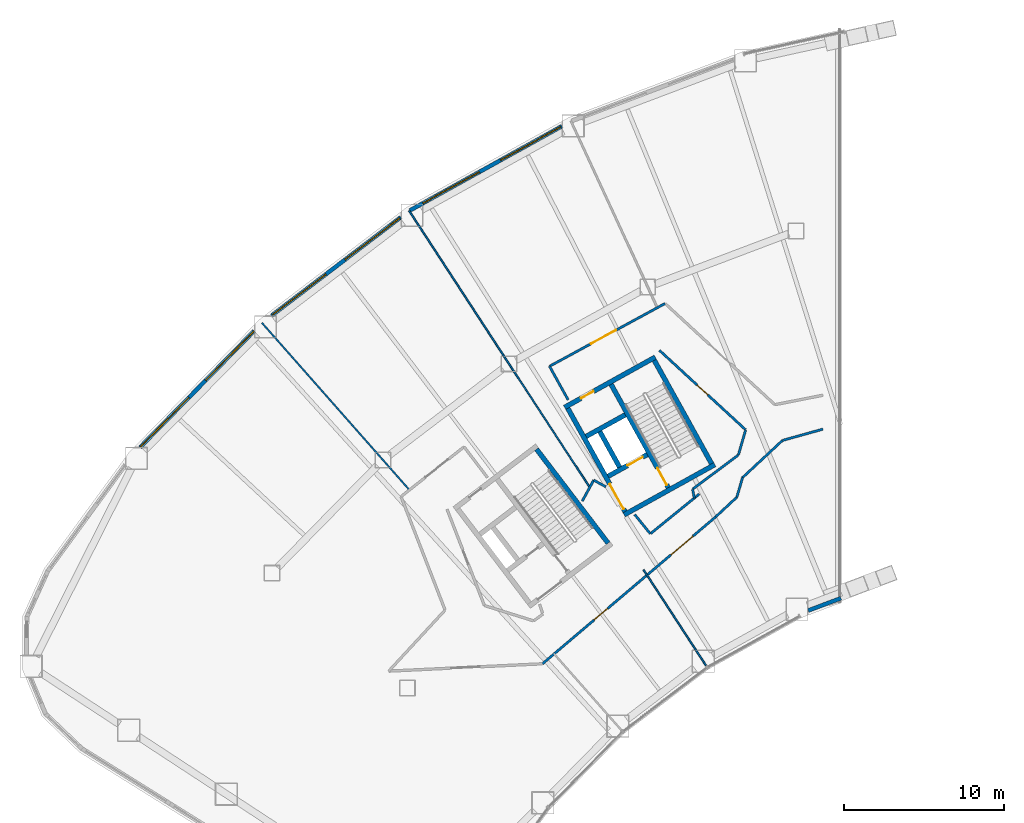
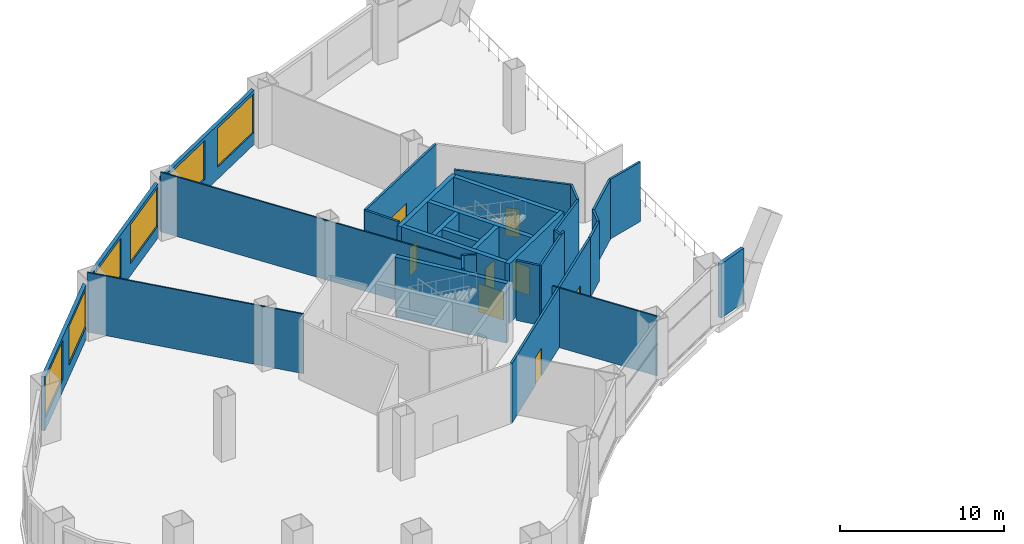
# One storey, part 13 of 20: 31 walls, 8 doors, 6 windows, 14 openings.
"""IFC4 building model written with IfcOpenShell, lengths in metres."""

from ifc_helpers import new_model, si_unit, direction, frame, frame_2d, origin, place, context, subcontext, project, spatial, rectangle, extrude, material, layer, layer_set, type_object, element, fill, save


model = new_model("IFC4")

# Units and contexts
model_context = context("Model", 3, precision=1e-05, world=origin(), true_north=direction((0.0, 1.0)))
body_context = subcontext(model_context, "Body", "Model", "MODEL_VIEW")
ifc_project = project(units=[si_unit("LENGTHUNIT", "METRE"), si_unit("AREAUNIT", "SQUARE_METRE"), si_unit("VOLUMEUNIT", "CUBIC_METRE"), si_unit("PLANEANGLEUNIT", "RADIAN"), si_unit("MASSUNIT", "GRAM", prefix="KILO")], contexts=[model_context])

# Site, building, storey
site_placement = place(None, origin())
site = spatial("IfcSite", under=ifc_project, at=site_placement, CompositionType="ELEMENT")
building_placement = place(site_placement, origin())
building = spatial("IfcBuilding", under=site, at=building_placement, Name="Tuul Gate Civic Tower", CompositionType="ELEMENT")
storey_placement = place(building_placement, frame((0.0, 0.0, 12.300048828125)))
storey = spatial("IfcBuildingStorey", under=building, at=storey_placement, Name="Level 02", CompositionType="ELEMENT", Elevation=12.300048828125)

# Walls
ifc_material_1 = material(Name="Concrete C50/60", Category="concrete")
ifc_layer_1 = layer(ifc_material_1, 0.300048828125)
ifc_layer_set_1 = layer_set([ifc_layer_1], Name="Concrete C50/60")
wall_type_1 = type_object("IfcWallType", Name="Core wall C50/60", PredefinedType="SHEAR", material=ifc_layer_set_1)
wall_1_placement = place(storey_placement, frame((-31.401123046875, -13.64111328125, 0.0), z_axis=(0.0, 0.0, 1.0), x_axis=(-0.605769822278, 0.795639945213, 0.0)))
element("IfcWall", 1, at=wall_1_placement, inside=storey, type_object=wall_type_1, Name="Core wall", PredefinedType="SHEAR", context=body_context, shape_type="SweptSolid", body=[
    extrude(rectangle(XDim=7.39990234375, YDim=0.300048828125, at=frame_2d((3.699951171875, 0.0))), origin(), (0.0, 0.0, 1.0), 4.449951171875),
])
wall_2_placement = place(storey_placement, frame((-24.711669921875, -8.7158203125, 0.0), z_axis=(0.0, 0.0, 1.0), x_axis=(-0.874629909008, -0.484791215132, 0.0)))
element("IfcWall", 2, at=wall_2_placement, inside=storey, type_object=wall_type_1, Name="Core wall", PredefinedType="SHEAR", context=body_context, shape_type="SweptSolid", body=[
    extrude(rectangle(XDim=6.5, YDim=0.300048828125, at=frame_2d((3.25, 0.0))), origin(), (0.0, 0.0, 1.0), 4.449951171875),
])

# Wall, opening, door
wall_3_placement = place(storey_placement, frame((-28.94580078125, -8.090087890625, 0.0), z_axis=(0.0, 0.0, 1.0), x_axis=(-0.874629840737, -0.484791338301, 0.0)))
wall_3 = element("IfcWall", 3, at=wall_3_placement, inside=storey, type_object=wall_type_1, Name="Core wall", PredefinedType="SHEAR", context=body_context, shape_type="SweptSolid", body=[
    extrude(rectangle(XDim=2.800048828125, YDim=0.300048828125, at=frame_2d((1.39990234375, 0.0))), origin(), (0.0, 0.0, 1.0), 4.449951171875),
])
opening_1_placement = place(wall_3_placement, frame((0.324951171875, 0.0, 0.0)))
opening_1 = element("IfcOpeningElement", 4, at=opening_1_placement, cuts=wall_3, Name="Opening LD-FF-1", PredefinedType="OPENING", context=body_context, shape_type="SweptSolid", body=[
    extrude(rectangle(XDim=1.10009765625, YDim=2.10009765625, at=frame_2d((0.550048828125, 1.050048828125))), frame((0.0, 0.16015625, 0.0), z_axis=(0.0, -1.0, 0.0), x_axis=(1.0, 0.0, 0.0)), (0.0, 0.0, 1.0), 0.320068359375),
])
ifc_material_2 = material(Name="Stainless steel", Category="steel")
door_type_1 = type_object("IfcDoorType", Name="Landing door", OperationType="DOUBLE_DOOR_SLIDING", PredefinedType="DOOR", material=ifc_material_2)
door_1_placement = place(opening_1_placement, origin())
door_1 = element("IfcDoor", 5, at=door_1_placement, inside=storey, type_object=door_type_1, Name="Fire-fighting lift FF-1 landing door", OperationType="DOUBLE_DOOR_SLIDING", OverallHeight=2.10009765625, OverallWidth=1.10009765625, PredefinedType="DOOR", context=body_context, shape_type="SweptSolid", body=[
    extrude(rectangle(XDim=1.10009765625, YDim=2.10009765625, at=frame_2d((0.550048828125, 1.050048828125))), frame((0.0, 0.02490234375, 0.0), z_axis=(0.0, -1.0, 0.0), x_axis=(1.0, 0.0, 0.0)), (0.0, 0.0, 1.0), 0.050048828125),
])
fill(opening_1, door_1)

# Wall
wall_4_placement = place(storey_placement, frame((-30.327392578125, -5.59716796875, 0.0), z_axis=(0.0, 0.0, 1.0), x_axis=(-0.874629840737, -0.484791338301, 0.0)))
element("IfcWall", 6, at=wall_4_placement, inside=storey, type_object=wall_type_1, Name="Core wall", PredefinedType="SHEAR", context=body_context, shape_type="SweptSolid", body=[
    extrude(rectangle(XDim=2.800048828125, YDim=0.300048828125, at=frame_2d((1.39990234375, 0.0))), origin(), (0.0, 0.0, 1.0), 4.449951171875),
])

# Wall, opening, door
wall_5_placement = place(storey_placement, frame((-28.4443359375, -1.98095703125, 0.0), z_axis=(0.0, 0.0, 1.0), x_axis=(-0.874629909008, -0.484791215132, 0.0)))
wall_5 = element("IfcWall", 7, at=wall_5_placement, inside=storey, type_object=wall_type_1, Name="Core wall", PredefinedType="SHEAR", context=body_context, shape_type="SweptSolid", body=[
    extrude(rectangle(XDim=6.5, YDim=0.300048828125, at=frame_2d((3.25, 0.0))), origin(), (0.0, 0.0, 1.0), 4.449951171875),
])
opening_2_placement = place(wall_5_placement, frame((4.425048828125, 0.0, 0.0)))
opening_2 = element("IfcOpeningElement", 8, at=opening_2_placement, cuts=wall_5, Name="Opening QB-D23", PredefinedType="OPENING", context=body_context, shape_type="SweptSolid", body=[
    extrude(rectangle(XDim=0.89990234375, YDim=2.10009765625, at=frame_2d((0.449951171875, 1.050048828125))), frame((0.0, 0.16015625, 0.0), z_axis=(0.0, -1.0, 0.0), x_axis=(1.0, 0.0, 0.0)), (0.0, 0.0, 1.0), 0.320068359375),
])
ifc_material_3 = material(Name="Timber door leaf", Category="wood")
door_type_2 = type_object("IfcDoorType", Name="Door D09", OperationType="NOTDEFINED", PredefinedType="DOOR", material=ifc_material_3)
door_2_placement = place(opening_2_placement, origin())
door_2 = element("IfcDoor", 9, at=door_2_placement, inside=storey, type_object=door_type_2, Name="Door QB-D23", OperationType="SINGLE_SWING_LEFT", OverallHeight=2.10009765625, OverallWidth=0.89990234375, PredefinedType="DOOR", context=body_context, shape_type="SweptSolid", body=[
    extrude(rectangle(XDim=0.89990234375, YDim=2.10009765625, at=frame_2d((0.449951171875, 1.050048828125))), frame((0.0, 0.02490234375, 0.0), z_axis=(0.0, -1.0, 0.0), x_axis=(1.0, 0.0, 0.0)), (0.0, 0.0, 1.0), 0.050048828125),
])
fill(opening_2, door_2)

# Wall
wall_6_placement = place(storey_placement, frame((-24.91552734375, -8.6572265625, 0.0), z_axis=(0.0, 0.0, 1.0), x_axis=(-0.484777133038, 0.874637714304, 0.0)))
element("IfcWall", 10, at=wall_6_placement, inside=storey, type_object=wall_type_1, Name="Core wall", PredefinedType="SHEAR", context=body_context, shape_type="SweptSolid", body=[
    extrude(rectangle(XDim=7.400146484375, YDim=0.300048828125, at=frame_2d((3.7001953125, 0.0))), origin(), (0.0, 0.0, 1.0), 4.449951171875),
])

# Wall, opening, door
wall_7_placement = place(storey_placement, frame((-27.626953125, -10.16015625, 0.0), z_axis=(0.0, 0.0, 1.0), x_axis=(-0.484751894226, 0.874651702704, 0.0)))
wall_7 = element("IfcWall", 11, at=wall_7_placement, inside=storey, type_object=wall_type_1, Name="Core wall", PredefinedType="SHEAR", context=body_context, shape_type="SweptSolid", body=[
    extrude(rectangle(XDim=7.39990234375, YDim=0.300048828125, at=frame_2d((3.699951171875, 0.0))), origin(), (0.0, 0.0, 1.0), 4.449951171875),
])
opening_3_placement = place(wall_7_placement, frame((0.199951171875, 0.0, 0.0)))
opening_3 = element("IfcOpeningElement", 12, at=opening_3_placement, cuts=wall_7, Name="Opening SD-ST-2", PredefinedType="OPENING", context=body_context, shape_type="SweptSolid", body=[
    extrude(rectangle(XDim=1.199951171875, YDim=2.10009765625, at=frame_2d((0.60009765625, 1.050048828125))), frame((0.0, 0.16015625, 0.0), z_axis=(0.0, -1.0, 0.0), x_axis=(1.0, 0.0, 0.0)), (0.0, 0.0, 1.0), 0.320068359375),
])
ifc_material_4 = material(Name="Steel", Category="steel")
door_type_3 = type_object("IfcDoorType", Name="Stair door", OperationType="NOTDEFINED", PredefinedType="DOOR", material=ifc_material_4)
door_3_placement = place(opening_3_placement, origin())
door_3 = element("IfcDoor", 13, at=door_3_placement, inside=storey, type_object=door_type_3, Name="Stair door ST-2", OperationType="SINGLE_SWING_LEFT", OverallHeight=2.10009765625, OverallWidth=1.199951171875, PredefinedType="DOOR", context=body_context, shape_type="SweptSolid", body=[
    extrude(rectangle(XDim=1.199951171875, YDim=2.10009765625, at=frame_2d((0.60009765625, 1.050048828125))), frame((0.0, 0.02490234375, 0.0), z_axis=(0.0, -1.0, 0.0), x_axis=(1.0, 0.0, 0.0)), (0.0, 0.0, 1.0), 0.050048828125),
])
fill(opening_3, door_3)

# Wall
wall_8_placement = place(storey_placement, frame((-30.680419921875, -8.8798828125, 0.0), z_axis=(0.0, 0.0, 1.0), x_axis=(-0.484724115216, 0.874667097888, 0.0)))
element("IfcWall", 14, at=wall_8_placement, inside=storey, type_object=wall_type_1, Name="Core wall", PredefinedType="SHEAR", context=body_context, shape_type="SweptSolid", body=[
    extrude(rectangle(XDim=2.550048828125, YDim=0.300048828125, at=frame_2d((1.27490234375, 0.0))), origin(), (0.0, 0.0, 1.0), 4.449951171875),
])

# Wall, opening, door
wall_9_placement = place(storey_placement, frame((-30.33837890625, -11.6630859375, 0.0), z_axis=(0.0, 0.0, 1.0), x_axis=(-0.484751894226, 0.874651702704, 0.0)))
wall_9 = element("IfcWall", 15, at=wall_9_placement, inside=storey, type_object=wall_type_1, Name="Core wall", PredefinedType="SHEAR", context=body_context, shape_type="SweptSolid", body=[
    extrude(rectangle(XDim=7.39990234375, YDim=0.300048828125, at=frame_2d((3.699951171875, 0.0))), origin(), (0.0, 0.0, 1.0), 4.449951171875),
])
opening_4_placement = place(wall_9_placement, frame((0.175048828125, 0.0, 0.0)))
opening_4 = element("IfcOpeningElement", 16, at=opening_4_placement, cuts=wall_9, Name="Opening LB-W2-FLOBBY-1", PredefinedType="OPENING", context=body_context, shape_type="SweptSolid", body=[
    extrude(rectangle(XDim=1.800048828125, YDim=2.10009765625, at=frame_2d((0.89990234375, 1.050048828125))), frame((0.0, 0.16015625, 0.0), z_axis=(0.0, -1.0, 0.0), x_axis=(1.0, 0.0, 0.0)), (0.0, 0.0, 1.0), 0.320068359375),
])
ifc_material_5 = material(Name="Steel", Category="steel")
door_type_4 = type_object("IfcDoorType", Name="Lobby door", OperationType="DOUBLE_DOOR_SINGLE_SWING", PredefinedType="DOOR", material=ifc_material_5)
door_4_placement = place(opening_4_placement, frame((1.800048828125, 0.0, 0.0), z_axis=(0.0, 0.0, 1.0), x_axis=(-1.0, 0.0, 0.0)))
door_4 = element("IfcDoor", 17, at=door_4_placement, inside=storey, type_object=door_type_4, Name="Lobby door W2-FLOBBY", OperationType="DOUBLE_DOOR_SINGLE_SWING", OverallHeight=2.10009765625, OverallWidth=1.800048828125, PredefinedType="DOOR", context=body_context, shape_type="SweptSolid", body=[
    extrude(rectangle(XDim=1.800048828125, YDim=2.10009765625, at=frame_2d((0.900146484375, 1.050048828125))), frame((0.0, 0.02490234375, 0.0), z_axis=(0.0, -1.0, 0.0), x_axis=(1.0, 0.0, 0.0)), (0.0, 0.0, 1.0), 0.050048828125),
])
fill(opening_4, door_4)

ifc_material_6 = material(Name="Gypsum board partition")
ifc_layer_2 = layer(ifc_material_6, 0.14990234375)
ifc_layer_set_2 = layer_set([ifc_layer_2], Name="Gypsum board partition")
wall_type_2 = type_object("IfcWallType", Name="Corridor wall P150", PredefinedType="PARTITIONING", material=ifc_layer_set_2)
wall_10_placement = place(storey_placement, frame((-35.070556640625, -2.555419921875, 0.0), z_axis=(0.0, 0.0, 1.0), x_axis=(0.878552373056, 0.477646027721, 0.0)))
wall_10 = element("IfcWall", 18, at=wall_10_placement, inside=storey, type_object=wall_type_2, Name="p023", PredefinedType="PARTITIONING", context=body_context, shape_type="SweptSolid", body=[
    extrude(rectangle(XDim=8.242919921875, YDim=0.14990234375, at=frame_2d((4.12158203125, 0.0))), origin(), (0.0, 0.0, 1.0), 4.449951171875),
])
opening_5_placement = place(wall_10_placement, frame((2.945068359375, 0.0, 0.0)))
opening_5 = element("IfcOpeningElement", 19, at=opening_5_placement, cuts=wall_10, Name="Opening QB-D08", PredefinedType="OPENING", context=body_context, shape_type="SweptSolid", body=[
    extrude(rectangle(XDim=1.800048828125, YDim=2.10009765625, at=frame_2d((0.89990234375, 1.050048828125))), frame((0.0, 0.0849609375, 0.0), z_axis=(0.0, -1.0, 0.0), x_axis=(1.0, 0.0, 0.0)), (0.0, 0.0, 1.0), 0.169921875),
])
ifc_material_7 = material(Name="Timber door leaf, double", Category="wood")
door_type_5 = type_object("IfcDoorType", Name="Door D18", OperationType="DOUBLE_DOOR_SINGLE_SWING", PredefinedType="DOOR", material=ifc_material_7)
door_5_placement = place(opening_5_placement, origin())
door_5 = element("IfcDoor", 20, at=door_5_placement, inside=storey, type_object=door_type_5, Name="Door QB-D08", OperationType="DOUBLE_DOOR_SINGLE_SWING", OverallHeight=2.10009765625, OverallWidth=1.800048828125, PredefinedType="DOOR", context=body_context, shape_type="SweptSolid", body=[
    extrude(rectangle(XDim=1.800048828125, YDim=2.10009765625, at=frame_2d((0.89990234375, 1.050048828125))), frame((0.0, 0.02490234375, 0.0), z_axis=(0.0, -1.0, 0.0), x_axis=(1.0, 0.0, 0.0)), (0.0, 0.0, 1.0), 0.050048828125),
])
fill(opening_5, door_5)

# Wall, openings, doors
wall_11_placement = place(storey_placement, frame((-35.51513671875, -21.201904296875, 0.0), z_axis=(0.0, 0.0, 1.0), x_axis=(0.762642940394, 0.646819716356, 0.0)))
wall_11 = element("IfcWall", 21, at=wall_11_placement, inside=storey, type_object=wall_type_2, Name="p026", PredefinedType="PARTITIONING", context=body_context, shape_type="SweptSolid", body=[
    extrude(rectangle(XDim=14.236572265625, YDim=0.14990234375, at=frame_2d((7.1181640625, 0.0))), origin(), (0.0, 0.0, 1.0), 4.449951171875),
])
opening_6_placement = place(wall_11_placement, frame((10.55419921875, 0.0, 0.0)))
opening_6 = element("IfcOpeningElement", 22, at=opening_6_placement, cuts=wall_11, Name="Opening QB-D07", PredefinedType="OPENING", context=body_context, shape_type="SweptSolid", body=[
    extrude(rectangle(XDim=1.800048828125, YDim=2.10009765625, at=frame_2d((0.89990234375, 1.050048828125))), frame((0.0, 0.0849609375, 0.0), z_axis=(0.0, -1.0, 0.0), x_axis=(1.0, 0.0, 0.0)), (0.0, 0.0, 1.0), 0.169921875),
])
opening_7_placement = place(wall_11_placement, frame((4.25390625, 0.0, 0.0)))
opening_7 = element("IfcOpeningElement", 23, at=opening_7_placement, cuts=wall_11, Name="Opening QB-D09", PredefinedType="OPENING", context=body_context, shape_type="SweptSolid", body=[
    extrude(rectangle(XDim=1.10009765625, YDim=2.10009765625, at=frame_2d((0.550048828125, 1.050048828125))), frame((0.0, 0.0849609375, 0.0), z_axis=(0.0, -1.0, 0.0), x_axis=(1.0, 0.0, 0.0)), (0.0, 0.0, 1.0), 0.169921875),
])
ifc_material_8 = material(Name="Timber door leaf", Category="wood")
door_type_6 = type_object("IfcDoorType", Name="Door D11", OperationType="NOTDEFINED", PredefinedType="DOOR", material=ifc_material_8)
door_6_placement = place(opening_7_placement, frame((1.10009765625, 0.0, 0.0), z_axis=(0.0, 0.0, 1.0), x_axis=(-1.0, 0.0, 0.0)))
door_6 = element("IfcDoor", 24, at=door_6_placement, inside=storey, type_object=door_type_6, Name="Door QB-D09", OperationType="SINGLE_SWING_LEFT", OverallHeight=2.10009765625, OverallWidth=1.10009765625, PredefinedType="DOOR", context=body_context, shape_type="SweptSolid", body=[
    extrude(rectangle(XDim=1.10009765625, YDim=2.10009765625, at=frame_2d((0.550048828125, 1.050048828125))), frame((0.0, 0.02490234375, 0.0), z_axis=(0.0, -1.0, 0.0), x_axis=(1.0, 0.0, 0.0)), (0.0, 0.0, 1.0), 0.050048828125),
])
fill(opening_7, door_6)
door_7_placement = place(opening_6_placement, frame((1.800048828125, 0.0, 0.0), z_axis=(0.0, 0.0, 1.0), x_axis=(-1.0, 0.0, 0.0)))
door_7 = element("IfcDoor", 25, at=door_7_placement, inside=storey, type_object=door_type_5, Name="Door QB-D07", OperationType="DOUBLE_DOOR_SINGLE_SWING", OverallHeight=2.10009765625, OverallWidth=1.800048828125, PredefinedType="DOOR", context=body_context, shape_type="SweptSolid", body=[
    extrude(rectangle(XDim=1.800048828125, YDim=2.10009765625, at=frame_2d((0.900146484375, 1.050048828125))), frame((0.0, 0.02490234375, 0.0), z_axis=(0.0, -1.0, 0.0), x_axis=(1.0, 0.0, 0.0)), (0.0, 0.0, 1.0), 0.050048828125),
])
fill(opening_6, door_7)

# Walls
wall_12_placement = place(storey_placement, frame((-22.97509765625, -9.532958984375, 0.0), z_axis=(0.0, 0.0, 1.0), x_axis=(0.73205000181, 0.681250904476, 0.0)))
element("IfcWall", 26, at=wall_12_placement, inside=storey, type_object=wall_type_2, Name="p027", PredefinedType="PARTITIONING", context=body_context, shape_type="SweptSolid", body=[
    extrude(rectangle(XDim=3.4169921875, YDim=0.14990234375, at=frame_2d((1.70849609375, 0.0))), origin(), (0.0, 0.0, 1.0), 4.449951171875),
])
wall_13_placement = place(storey_placement, frame((-26.10546875, -10.2587890625, 0.0), z_axis=(0.0, 0.0, 1.0), x_axis=(0.192471372188, -0.981302588852, 0.0)))
element("IfcWall", 27, at=wall_13_placement, inside=storey, type_object=wall_type_2, Name="p028", PredefinedType="PARTITIONING", context=body_context, shape_type="SweptSolid", body=[
    extrude(rectangle(XDim=0.56689453125, YDim=0.14990234375, at=frame_2d((0.283447265625, 0.0))), origin(), (0.0, 0.0, 1.0), 4.449951171875),
])
wall_14_placement = place(storey_placement, frame((-24.65771484375, -11.993408203125, 0.0), z_axis=(0.0, 0.0, 1.0), x_axis=(0.73204920825, 0.681251757209, 0.0)))
element("IfcWall", 28, at=wall_14_placement, inside=storey, type_object=wall_type_2, Name="p030", PredefinedType="PARTITIONING", context=body_context, shape_type="SweptSolid", body=[
    extrude(rectangle(XDim=1.81201171875, YDim=0.14990234375, at=frame_2d((0.906005859375, 0.0))), origin(), (0.0, 0.0, 1.0), 4.449951171875),
])
wall_15_placement = place(storey_placement, frame((-23.331298828125, -10.759033203125, 0.0), z_axis=(0.0, 0.0, 1.0), x_axis=(0.27898654348, 0.960295011211, 0.0)))
element("IfcWall", 29, at=wall_15_placement, inside=storey, type_object=wall_type_2, Name="p031", PredefinedType="PARTITIONING", context=body_context, shape_type="SweptSolid", body=[
    extrude(rectangle(XDim=1.27685546875, YDim=0.14990234375, at=frame_2d((0.638427734375, 0.0))), origin(), (0.0, 0.0, 1.0), 4.449951171875),
])
wall_16_placement = place(storey_placement, frame((-20.465576171875, -7.200927734375, 0.0), z_axis=(0.0, 0.0, 1.0), x_axis=(0.963249501874, 0.268608259626, 0.0)))
element("IfcWall", 30, at=wall_16_placement, inside=storey, type_object=wall_type_2, Name="p032", PredefinedType="PARTITIONING", context=body_context, shape_type="SweptSolid", body=[
    extrude(rectangle(XDim=2.6240234375, YDim=0.14990234375, at=frame_2d((1.31201171875, 0.0))), origin(), (0.0, 0.0, 1.0), 4.449951171875),
])
wall_17_placement = place(storey_placement, frame((-35.07080078125, -2.556396484375, 0.0), z_axis=(0.0, 0.0, 1.0), x_axis=(0.484721780976, -0.874668391476, 0.0)))
element("IfcWall", 31, at=wall_17_placement, inside=storey, type_object=wall_type_2, Name="p033", PredefinedType="PARTITIONING", context=body_context, shape_type="SweptSolid", body=[
    extrude(rectangle(XDim=2.408447265625, YDim=0.14990234375, at=frame_2d((1.2041015625, 0.0))), origin(), (0.0, 0.0, 1.0), 4.449951171875),
])
wall_18_placement = place(storey_placement, frame((-32.302001953125, -9.69140625, 0.0), z_axis=(0.0, 0.0, 1.0), x_axis=(0.877300438898, -0.479941600519, 0.0)))
element("IfcWall", 32, at=wall_18_placement, inside=storey, type_object=wall_type_2, Name="p034", PredefinedType="PARTITIONING", context=body_context, shape_type="SweptSolid", body=[
    extrude(rectangle(XDim=0.86328125, YDim=0.14990234375, at=frame_2d((0.431640625, 0.0))), origin(), (0.0, 0.0, 1.0), 4.449951171875),
])
wall_19_placement = place(storey_placement, frame((-33.025390625, -11.011474609375, 0.0), z_axis=(0.0, 0.0, 1.0), x_axis=(0.480136286371, 0.877193904738, 0.0)))
element("IfcWall", 33, at=wall_19_placement, inside=storey, type_object=wall_type_2, Name="p035", PredefinedType="PARTITIONING", context=body_context, shape_type="SweptSolid", body=[
    extrude(rectangle(XDim=1.504638671875, YDim=0.14990234375, at=frame_2d((0.75244140625, 0.0))), origin(), (0.0, 0.0, 1.0), 4.449951171875),
])
wall_20_placement = place(storey_placement, frame((-28.737548828125, -13.042236328125, 0.0), z_axis=(0.0, 0.0, 1.0), x_axis=(0.776140584836, 0.63055990403, 0.0)))
element("IfcWall", 34, at=wall_20_placement, inside=storey, type_object=wall_type_2, Name="p055", PredefinedType="PARTITIONING", context=body_context, shape_type="SweptSolid", body=[
    extrude(rectangle(XDim=3.9326171875, YDim=0.14990234375, at=frame_2d((1.96630859375, 0.0))), origin(), (0.0, 0.0, 1.0), 4.449951171875),
])

# Wall, opening, door
wall_21_placement = place(storey_placement, frame((-28.181640625, -1.556640625, 0.0), z_axis=(0.0, 0.0, 1.0), x_axis=(0.73530332152, -0.677738168736, 0.0)))
wall_21 = element("IfcWall", 35, at=wall_21_placement, inside=storey, type_object=wall_type_2, Name="p069", PredefinedType="PARTITIONING", context=body_context, shape_type="SweptSolid", body=[
    extrude(rectangle(XDim=7.337158203125, YDim=0.14990234375, at=frame_2d((3.66845703125, 0.0))), origin(), (0.0, 0.0, 1.0), 4.449951171875),
])
opening_8_placement = place(wall_21_placement, frame((3.218505859375, 0.0, 0.0)))
opening_8 = element("IfcOpeningElement", 36, at=opening_8_placement, cuts=wall_21, Name="Opening QB-D18", PredefinedType="OPENING", context=body_context, shape_type="SweptSolid", body=[
    extrude(rectangle(XDim=0.89990234375, YDim=2.10009765625, at=frame_2d((0.449951171875, 1.050048828125))), frame((0.0, 0.0849609375, 0.0), z_axis=(0.0, -1.0, 0.0), x_axis=(1.0, 0.0, 0.0)), (0.0, 0.0, 1.0), 0.169921875),
])
door_8_placement = place(opening_8_placement, frame((0.89990234375, 0.0, 0.0), z_axis=(0.0, 0.0, 1.0), x_axis=(-1.0, 0.0, 0.0)))
door_8 = element("IfcDoor", 37, at=door_8_placement, inside=storey, type_object=door_type_2, Name="Door QB-D18", OperationType="SINGLE_SWING_LEFT", OverallHeight=2.10009765625, OverallWidth=0.89990234375, PredefinedType="DOOR", context=body_context, shape_type="SweptSolid", body=[
    extrude(rectangle(XDim=0.89990234375, YDim=2.10009765625, at=frame_2d((0.449951171875, 1.050048828125))), frame((0.0, 0.02490234375, 0.0), z_axis=(0.0, -1.0, 0.0), x_axis=(1.0, 0.0, 0.0)), (0.0, 0.0, 1.0), 0.050048828125),
])
fill(opening_8, door_8)

# Walls
wall_22_placement = place(storey_placement, frame((-23.235107421875, -8.11474609375, 0.0), z_axis=(0.0, 0.0, 1.0), x_axis=(0.278565783361, 0.960417151211, 0.0)))
element("IfcWall", 38, at=wall_22_placement, inside=storey, type_object=wall_type_2, Name="p070", PredefinedType="PARTITIONING", context=body_context, shape_type="SweptSolid", body=[
    extrude(rectangle(XDim=1.634521484375, YDim=0.14990234375, at=frame_2d((0.8173828125, 0.0))), origin(), (0.0, 0.0, 1.0), 4.449951171875),
])
wall_23_placement = place(storey_placement, frame((-26.10546875, -10.2587890625, 0.0), z_axis=(0.0, 0.0, 1.0), x_axis=(0.801167830011, 0.59843972809, 0.0)))
element("IfcWall", 39, at=wall_23_placement, inside=storey, type_object=wall_type_2, Name="p071", PredefinedType="PARTITIONING", context=body_context, shape_type="SweptSolid", body=[
    extrude(rectangle(XDim=3.582763671875, YDim=0.14990234375, at=frame_2d((1.79150390625, 0.0))), origin(), (0.0, 0.0, 1.0), 4.449951171875),
])
wall_24_placement = place(storey_placement, frame((-29.736572265625, -11.843994140625, 0.0), z_axis=(0.0, 0.0, 1.0), x_axis=(0.63065232201, -0.776065492561, 0.0)))
element("IfcWall", 40, at=wall_24_placement, inside=storey, type_object=wall_type_2, Name="p072", PredefinedType="PARTITIONING", context=body_context, shape_type="SweptSolid", body=[
    extrude(rectangle(XDim=1.53955078125, YDim=0.14990234375, at=frame_2d((0.769775390625, 0.0))), origin(), (0.0, 0.0, 1.0), 4.449951171875),
])

# Wall, openings, windows
ifc_material_9 = material(Name="Precast concrete C40/50", Category="concrete")
ifc_layer_3 = layer(ifc_material_9, 0.25)
ifc_layer_set_3 = layer_set([ifc_layer_3], Name="Precast concrete C40/50")
wall_type_3 = type_object("IfcWallType", Name="External wall", PredefinedType="STANDARD", material=ifc_layer_set_3)
wall_25_placement = place(storey_placement, frame((-34.2919921875, 12.494384765625, 0.0), z_axis=(0.0, 0.0, 1.0), x_axis=(-0.874636502082, -0.48477932013, 0.0)))
wall_25 = element("IfcWall", 41, at=wall_25_placement, inside=storey, type_object=wall_type_3, Name="External wall", PredefinedType="STANDARD", context=body_context, shape_type="SweptSolid", body=[
    extrude(rectangle(XDim=10.900146484375, YDim=0.25, at=frame_2d((5.4501953125, 0.0))), origin(), (0.0, 0.0, 1.0), 4.050048828125),
])
opening_9_placement = place(wall_25_placement, frame((0.1005859375, 0.0, 0.89990234375)))
opening_9 = element("IfcOpeningElement", 42, at=opening_9_placement, cuts=wall_25, Name="Opening W13", PredefinedType="OPENING", context=body_context, shape_type="SweptSolid", body=[
    extrude(rectangle(XDim=4.300048828125, YDim=2.89990234375, at=frame_2d((2.14990234375, 1.449951171875))), frame((0.0, 0.135009765625, 0.0), z_axis=(0.0, -1.0, 0.0), x_axis=(1.0, 0.0, 0.0)), (0.0, 0.0, 1.0), 0.27001953125),
])
opening_10_placement = place(wall_25_placement, frame((5.9208984375, 0.0, 0.89990234375)))
opening_10 = element("IfcOpeningElement", 43, at=opening_10_placement, cuts=wall_25, Name="Opening W85", PredefinedType="OPENING", context=body_context, shape_type="SweptSolid", body=[
    extrude(rectangle(XDim=4.050048828125, YDim=2.89990234375, at=frame_2d((2.02490234375, 1.449951171875))), frame((0.0, 0.135009765625, 0.0), z_axis=(0.0, -1.0, 0.0), x_axis=(1.0, 0.0, 0.0)), (0.0, 0.0, 1.0), 0.27001953125),
])
ifc_material_10 = material(Name="Glass", Category="glass")
window_type_1 = type_object("IfcWindowType", Name="Window W13 4300 x 2900", PartitioningType="SINGLE_PANEL", PredefinedType="WINDOW", material=ifc_material_10)
window_1_placement = place(opening_9_placement, origin())
window_1 = element("IfcWindow", 44, at=window_1_placement, inside=storey, type_object=window_type_1, Name="Window", OverallHeight=2.89990234375, OverallWidth=4.300048828125, PartitioningType="SINGLE_PANEL", PredefinedType="WINDOW", context=body_context, shape_type="SweptSolid", body=[
    extrude(rectangle(XDim=4.300048828125, YDim=2.89990234375, at=frame_2d((2.14990234375, 1.449951171875))), frame((0.0, 0.030029296875, 0.0), z_axis=(0.0, -1.0, 0.0), x_axis=(1.0, 0.0, 0.0)), (0.0, 0.0, 1.0), 0.06005859375),
])
fill(opening_9, window_1)
ifc_material_11 = material(Name="Glass", Category="glass")
window_type_2 = type_object("IfcWindowType", Name="Window W85 4050 x 2900", PartitioningType="SINGLE_PANEL", PredefinedType="WINDOW", material=ifc_material_11)
window_2_placement = place(opening_10_placement, origin())
window_2 = element("IfcWindow", 45, at=window_2_placement, inside=storey, type_object=window_type_2, Name="Window", OverallHeight=2.89990234375, OverallWidth=4.050048828125, PartitioningType="SINGLE_PANEL", PredefinedType="WINDOW", context=body_context, shape_type="SweptSolid", body=[
    extrude(rectangle(XDim=4.050048828125, YDim=2.89990234375, at=frame_2d((2.02490234375, 1.449951171875))), frame((0.0, 0.030029296875, 0.0), z_axis=(0.0, -1.0, 0.0), x_axis=(1.0, 0.0, 0.0)), (0.0, 0.0, 1.0), 0.06005859375),
])
fill(opening_10, window_2)

wall_26_placement = place(storey_placement, frame((-44.39111328125, 6.7890625, 0.0), z_axis=(0.0, 0.0, 1.0), x_axis=(-0.795598395873, -0.605824390796, 0.0)))
wall_26 = element("IfcWall", 46, at=wall_26_placement, inside=storey, type_object=wall_type_3, Name="External wall", PredefinedType="STANDARD", context=body_context, shape_type="SweptSolid", body=[
    extrude(rectangle(XDim=10.186279296875, YDim=0.25, at=frame_2d((5.09326171875, 0.0))), origin(), (0.0, 0.0, 1.0), 4.050048828125),
])
opening_11_placement = place(wall_26_placement, frame((0.088623046875, 0.0, 0.89990234375)))
opening_11 = element("IfcOpeningElement", 47, at=opening_11_placement, cuts=wall_26, Name="Opening W13", PredefinedType="OPENING", context=body_context, shape_type="SweptSolid", body=[
    extrude(rectangle(XDim=4.300048828125, YDim=2.89990234375, at=frame_2d((2.14990234375, 1.449951171875))), frame((0.0, 0.135009765625, 0.0), z_axis=(0.0, -1.0, 0.0), x_axis=(1.0, 0.0, 0.0)), (0.0, 0.0, 1.0), 0.27001953125),
])
opening_12_placement = place(wall_26_placement, frame((5.90087890625, 0.0, 0.89990234375)))
opening_12 = element("IfcOpeningElement", 48, at=opening_12_placement, cuts=wall_26, Name="Opening W84", PredefinedType="OPENING", context=body_context, shape_type="SweptSolid", body=[
    extrude(rectangle(XDim=4.199951171875, YDim=2.89990234375, at=frame_2d((2.10009765625, 1.449951171875))), frame((0.0, 0.135009765625, 0.0), z_axis=(0.0, -1.0, 0.0), x_axis=(1.0, 0.0, 0.0)), (0.0, 0.0, 1.0), 0.27001953125),
])
window_3_placement = place(opening_11_placement, origin())
window_3 = element("IfcWindow", 49, at=window_3_placement, inside=storey, type_object=window_type_1, Name="Window", OverallHeight=2.89990234375, OverallWidth=4.300048828125, PartitioningType="SINGLE_PANEL", PredefinedType="WINDOW", context=body_context, shape_type="SweptSolid", body=[
    extrude(rectangle(XDim=4.300048828125, YDim=2.89990234375, at=frame_2d((2.14990234375, 1.449951171875))), frame((0.0, 0.030029296875, 0.0), z_axis=(0.0, -1.0, 0.0), x_axis=(1.0, 0.0, 0.0)), (0.0, 0.0, 1.0), 0.06005859375),
])
fill(opening_11, window_3)
ifc_material_12 = material(Name="Glass", Category="glass")
window_type_3 = type_object("IfcWindowType", Name="Window W84 4200 x 2900", PartitioningType="SINGLE_PANEL", PredefinedType="WINDOW", material=ifc_material_12)
window_4_placement = place(opening_12_placement, origin())
window_4 = element("IfcWindow", 50, at=window_4_placement, inside=storey, type_object=window_type_3, Name="Window", OverallHeight=2.89990234375, OverallWidth=4.199951171875, PartitioningType="SINGLE_PANEL", PredefinedType="WINDOW", context=body_context, shape_type="SweptSolid", body=[
    extrude(rectangle(XDim=4.199951171875, YDim=2.89990234375, at=frame_2d((2.10009765625, 1.449951171875))), frame((0.0, 0.030029296875, 0.0), z_axis=(0.0, -1.0, 0.0), x_axis=(1.0, 0.0, 0.0)), (0.0, 0.0, 1.0), 0.06005859375),
])
fill(opening_12, window_4)

wall_27_placement = place(storey_placement, frame((-53.577880859375, -0.33154296875, 0.0), z_axis=(0.0, 0.0, 1.0), x_axis=(-0.700010487511, -0.714132562886, 0.0)))
wall_27 = element("IfcWall", 51, at=wall_27_placement, inside=storey, type_object=wall_type_3, Name="External wall", PredefinedType="STANDARD", context=body_context, shape_type="SweptSolid", body=[
    extrude(rectangle(XDim=10.217041015625, YDim=0.25, at=frame_2d((5.1083984375, 0.0))), origin(), (0.0, 0.0, 1.0), 4.050048828125),
])
opening_13_placement = place(wall_27_placement, frame((0.052490234375, 0.0, 0.89990234375)))
opening_13 = element("IfcOpeningElement", 52, at=opening_13_placement, cuts=wall_27, Name="Opening W13", PredefinedType="OPENING", context=body_context, shape_type="SweptSolid", body=[
    extrude(rectangle(XDim=4.300048828125, YDim=2.89990234375, at=frame_2d((2.14990234375, 1.449951171875))), frame((0.0, 0.135009765625, 0.0), z_axis=(0.0, -1.0, 0.0), x_axis=(1.0, 0.0, 0.0)), (0.0, 0.0, 1.0), 0.27001953125),
])
opening_14_placement = place(wall_27_placement, frame((5.858154296875, 0.0, 0.89990234375)))
opening_14 = element("IfcOpeningElement", 53, at=opening_14_placement, cuts=wall_27, Name="Opening W13", PredefinedType="OPENING", context=body_context, shape_type="SweptSolid", body=[
    extrude(rectangle(XDim=4.300048828125, YDim=2.89990234375, at=frame_2d((2.14990234375, 1.449951171875))), frame((0.0, 0.135009765625, 0.0), z_axis=(0.0, -1.0, 0.0), x_axis=(1.0, 0.0, 0.0)), (0.0, 0.0, 1.0), 0.27001953125),
])
window_5_placement = place(opening_13_placement, origin())
window_5 = element("IfcWindow", 54, at=window_5_placement, inside=storey, type_object=window_type_1, Name="Window", OverallHeight=2.89990234375, OverallWidth=4.300048828125, PartitioningType="SINGLE_PANEL", PredefinedType="WINDOW", context=body_context, shape_type="SweptSolid", body=[
    extrude(rectangle(XDim=4.300048828125, YDim=2.89990234375, at=frame_2d((2.14990234375, 1.449951171875))), frame((0.0, 0.030029296875, 0.0), z_axis=(0.0, -1.0, 0.0), x_axis=(1.0, 0.0, 0.0)), (0.0, 0.0, 1.0), 0.06005859375),
])
fill(opening_13, window_5)
window_6_placement = place(opening_14_placement, origin())
window_6 = element("IfcWindow", 55, at=window_6_placement, inside=storey, type_object=window_type_1, Name="Window", OverallHeight=2.89990234375, OverallWidth=4.300048828125, PartitioningType="SINGLE_PANEL", PredefinedType="WINDOW", context=body_context, shape_type="SweptSolid", body=[
    extrude(rectangle(XDim=4.300048828125, YDim=2.89990234375, at=frame_2d((2.14990234375, 1.449951171875))), frame((0.0, 0.030029296875, 0.0), z_axis=(0.0, -1.0, 0.0), x_axis=(1.0, 0.0, 0.0)), (0.0, 0.0, 1.0), 0.06005859375),
])
fill(opening_14, window_6)

# Walls
wall_28_placement = place(storey_placement, frame((-18.85791015625, -17.866455078125, 0.0), z_axis=(0.0, 0.0, 1.0), x_axis=(0.935336100559, 0.353760341179, 0.0)))
element("IfcWall", 56, at=wall_28_placement, inside=storey, type_object=wall_type_3, Name="External wall", PredefinedType="STANDARD", context=body_context, shape_type="SweptSolid", body=[
    extrude(rectangle(XDim=2.1904296875, YDim=0.25, at=frame_2d((1.09521484375, 0.0))), origin(), (0.0, 0.0, 1.0), 4.050048828125),
])
ifc_material_13 = material(Name="Gypsum board partition")
ifc_layer_4 = layer(ifc_material_13, 0.10009765625)
ifc_layer_set_4 = layer_set([ifc_layer_4], Name="Gypsum board partition")
wall_type_4 = type_object("IfcWallType", Name="Partition P100", PredefinedType="PARTITIONING", material=ifc_layer_set_4)
wall_29_placement = place(storey_placement, frame((-43.872314453125, 7.190185546875, 0.0), z_axis=(0.0, 0.0, 1.0), x_axis=(0.546729520639, -0.83730928053, 0.0)))
element("IfcWall", 57, at=wall_29_placement, inside=storey, type_object=wall_type_4, Name="p024", PredefinedType="PARTITIONING", context=body_context, shape_type="SweptSolid", body=[
    extrude(rectangle(XDim=20.70556640625, YDim=0.10009765625, at=frame_2d((10.352783203125, 0.0))), origin(), (0.0, 0.0, 1.0), 4.449951171875),
])
wall_30_placement = place(storey_placement, frame((-29.181640625, -15.30859375, 0.0), z_axis=(0.0, 0.0, 1.0), x_axis=(0.546732459261, -0.83730736172, 0.0)))
element("IfcWall", 58, at=wall_30_placement, inside=storey, type_object=wall_type_4, Name="p025", PredefinedType="PARTITIONING", context=body_context, shape_type="SweptSolid", body=[
    extrude(rectangle(XDim=7.1787109375, YDim=0.10009765625, at=frame_2d((3.58935546875, 0.0))), origin(), (0.0, 0.0, 1.0), 4.449951171875),
])
wall_31_placement = place(storey_placement, frame((-53.096923828125, 0.166015625, 0.0), z_axis=(0.0, 0.0, 1.0), x_axis=(0.66169099946, -0.749776647565, 0.0)))
element("IfcWall", 59, at=wall_31_placement, inside=storey, type_object=wall_type_4, Name="p036", PredefinedType="PARTITIONING", context=body_context, shape_type="SweptSolid", body=[
    extrude(rectangle(XDim=13.968994140625, YDim=0.10009765625, at=frame_2d((6.984375, 0.0))), origin(), (0.0, 0.0, 1.0), 4.449951171875),
])

save(model, "model.ifc")
